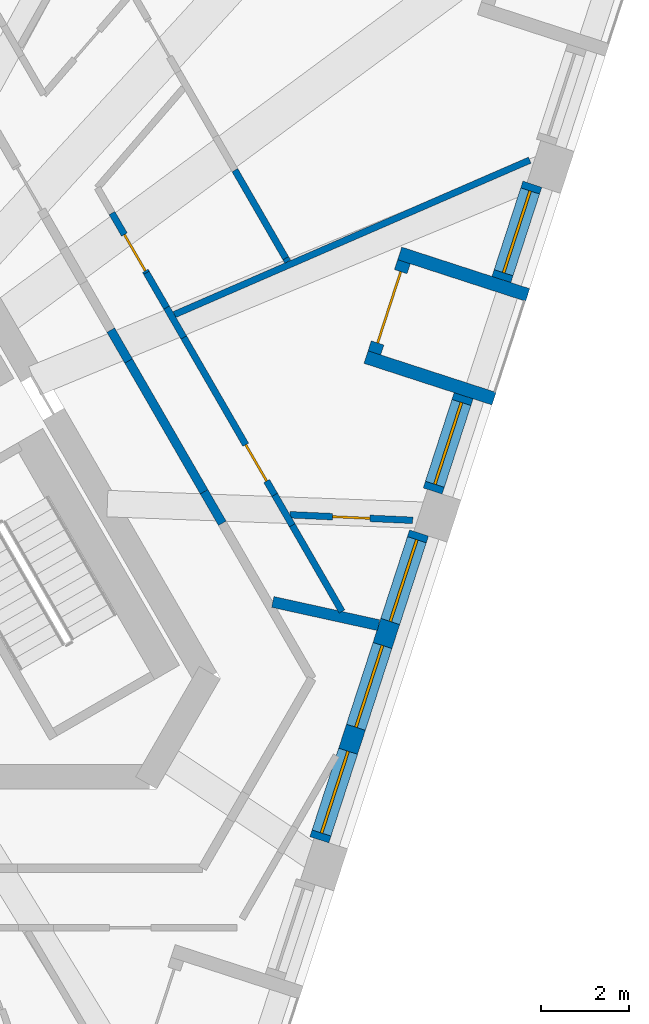
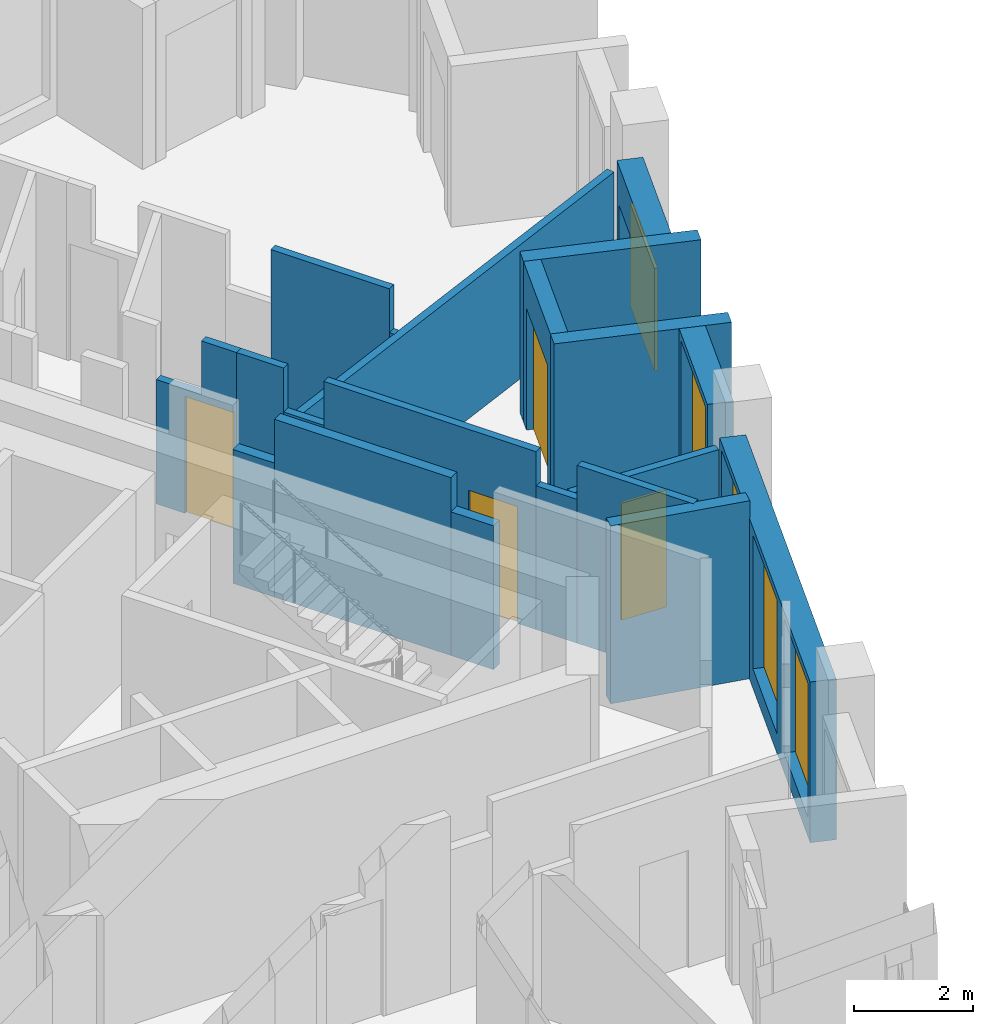
# One storey, part 6 of 13: 20 walls, 5 windows, 4 doors, 9 openings.
"""IFC4 building model written with IfcOpenShell, lengths in metres."""

from ifc_helpers import new_model, si_unit, direction, frame, frame_2d, origin, place, context, subcontext, project, spatial, polyline, rectangle, outline, extrude, material, layer, layer_set, type_object, element, fill, save


model = new_model("IFC4")

# Units and contexts
model_context = context("Model", 3, precision=1e-05, world=origin(), true_north=direction((0.0, 1.0)))
body_context = subcontext(model_context, "Body", "Model", "MODEL_VIEW")
ifc_project = project(units=[si_unit("LENGTHUNIT", "METRE"), si_unit("AREAUNIT", "SQUARE_METRE"), si_unit("VOLUMEUNIT", "CUBIC_METRE"), si_unit("PLANEANGLEUNIT", "RADIAN"), si_unit("MASSUNIT", "GRAM", prefix="KILO")], contexts=[model_context])

# Site, building, storey
site_placement = place(None, origin())
site = spatial("IfcSite", under=ifc_project, at=site_placement, CompositionType="ELEMENT")
building_placement = place(site_placement, origin())
building = spatial("IfcBuilding", under=site, at=building_placement, Name="Tramontana Tower", CompositionType="ELEMENT")
storey_placement = place(building_placement, frame((0.0, 0.0, 324.39990234375)))
storey = spatial("IfcBuildingStorey", under=building, at=storey_placement, Name="L74", CompositionType="ELEMENT", Elevation=324.39990234375)

# Walls
ifc_material_1 = material(Name="Blockwork", Category="masonry")
ifc_layer_1 = layer(ifc_material_1, 0.199951171875)
ifc_layer_set_1 = layer_set([ifc_layer_1], Name="ENTRY WALL 200")
wall_type_1 = type_object("IfcWallType", Name="ENTRY WALL 200", PredefinedType="SOLIDWALL", material=ifc_layer_set_1)
wall_1_placement = place(storey_placement, frame((7.765380859375, 3.64990234375, 0.0), z_axis=(0.0, 0.0, 1.0), x_axis=(0.500141487433, -0.865943700565, 0.0)))
element("IfcWall", 1, at=wall_1_placement, inside=storey, type_object=wall_type_1, Name="Wall v80-ew5-7", PredefinedType="SOLIDWALL", context=body_context, shape_type="SweptSolid", body=[
    extrude(rectangle(XDim=0.806884765625, YDim=0.199951171875, at=frame_2d((0.4033203125, 0.0))), origin(), (0.0, 0.0, 1.0), 2.75),
])
wall_2_placement = place(storey_placement, frame((8.1689453125, 2.951171875, 0.0), z_axis=(0.0, 0.0, 1.0), x_axis=(0.499959115548, -0.866049007147, 0.0)))
element("IfcWall", 2, at=wall_2_placement, inside=storey, type_object=wall_type_1, Name="Wall v80-ew5-8", PredefinedType="SOLIDWALL", context=body_context, shape_type="SweptSolid", body=[
    extrude(rectangle(XDim=3.423095703125, YDim=0.199951171875, at=frame_2d((1.71142578125, 0.0))), origin(), (0.0, 0.0, 1.0), 3.650146484375),
])
wall_3_placement = place(storey_placement, frame((9.88037109375, -0.013427734375, 0.0), z_axis=(0.0, 0.0, 1.0), x_axis=(0.499952654668, -0.866052736899, 0.0)))
element("IfcWall", 3, at=wall_3_placement, inside=storey, type_object=wall_type_1, Name="Wall v80-ew5-9", PredefinedType="SOLIDWALL", context=body_context, shape_type="SweptSolid", body=[
    extrude(rectangle(XDim=0.826171875, YDim=0.199951171875, at=frame_2d((0.4130859375, 0.0))), origin(), (0.0, 0.0, 1.0), 2.9501953125),
])

# Wall, openings, windows
ifc_material_2 = material(Name="Precast concrete 60 MPa", Category="concrete")
ifc_layer_2 = layer(ifc_material_2, 0.449951171875)
ifc_layer_set_2 = layer_set([ifc_layer_2], Name="Precast concrete 60 MPa, 450 mm")
wall_type_2 = type_object("IfcWallType", Name="EW1 Stone-faced precast wall 450", PredefinedType="SOLIDWALL", material=ifc_layer_set_2)
wall_4_placement = place(storey_placement, frame((12.493896484375, -7.904541015625, 0.0), z_axis=(0.0, 0.0, 1.0), x_axis=(0.309008326872, 0.951059332494, 0.0)))
wall_4 = element("IfcWall", 4, at=wall_4_placement, inside=storey, type_object=wall_type_2, Name="External wall L74 face 1 bay 3", PredefinedType="SOLIDWALL", context=body_context, shape_type="SweptSolid", body=[
    extrude(rectangle(XDim=7.313720703125, YDim=0.449951171875, at=frame_2d((3.65673828125, 0.0))), origin(), (0.0, 0.0, 1.0), 3.300048828125),
])
opening_1_placement = place(wall_4_placement, frame((0.16064453125, 0.0, 0.39990234375)))
opening_1 = element("IfcOpeningElement", 5, at=opening_1_placement, cuts=wall_4, Name="Opening M3", PredefinedType="OPENING", context=body_context, shape_type="SweptSolid", body=[
    extrude(rectangle(XDim=1.949951171875, YDim=2.75, at=frame_2d((0.97509765625, 1.375))), frame((0.0, 0.23486328125, 0.0), z_axis=(0.0, -1.0, 0.0), x_axis=(1.0, 0.0, 0.0)), (0.0, 0.0, 1.0), 0.469970703125),
])
opening_2_placement = place(wall_4_placement, frame((2.681884765625, 0.0, 0.39990234375)))
opening_2 = element("IfcOpeningElement", 6, at=opening_2_placement, cuts=wall_4, Name="Opening M3", PredefinedType="OPENING", context=body_context, shape_type="SweptSolid", body=[
    extrude(rectangle(XDim=1.949951171875, YDim=2.75, at=frame_2d((0.97509765625, 1.375))), frame((0.0, 0.23486328125, 0.0), z_axis=(0.0, -1.0, 0.0), x_axis=(1.0, 0.0, 0.0)), (0.0, 0.0, 1.0), 0.469970703125),
])
opening_3_placement = place(wall_4_placement, frame((5.203125, 0.0, 0.39990234375)))
opening_3 = element("IfcOpeningElement", 7, at=opening_3_placement, cuts=wall_4, Name="Opening M3", PredefinedType="OPENING", context=body_context, shape_type="SweptSolid", body=[
    extrude(rectangle(XDim=1.949951171875, YDim=2.75, at=frame_2d((0.97509765625, 1.375))), frame((0.0, 0.23486328125, 0.0), z_axis=(0.0, -1.0, 0.0), x_axis=(1.0, 0.0, 0.0)), (0.0, 0.0, 1.0), 0.469970703125),
])
ifc_material_3 = material(Name="Aluminum frame, double glazing unit", Category="aluminium")
window_type_1 = type_object("IfcWindowType", Name="M3 Window 1.95 x 2.75", PartitioningType="SINGLE_PANEL", PredefinedType="WINDOW", material=ifc_material_3)
window_1_placement = place(opening_1_placement, origin())
window_1 = element("IfcWindow", 8, at=window_1_placement, inside=storey, type_object=window_type_1, Name="Window M3 L74 face 1 module 7", OverallHeight=2.75, OverallWidth=1.949951171875, PartitioningType="SINGLE_PANEL", PredefinedType="WINDOW", context=body_context, shape_type="SweptSolid", body=[
    extrude(rectangle(XDim=1.949951171875, YDim=2.75, at=frame_2d((0.97509765625, 1.375))), frame((0.0, 0.030029296875, 0.0), z_axis=(0.0, -1.0, 0.0), x_axis=(1.0, 0.0, 0.0)), (0.0, 0.0, 1.0), 0.06005859375),
])
fill(opening_1, window_1)
window_2_placement = place(opening_2_placement, origin())
window_2 = element("IfcWindow", 9, at=window_2_placement, inside=storey, type_object=window_type_1, Name="Window M3 L74 face 1 module 8", OverallHeight=2.75, OverallWidth=1.949951171875, PartitioningType="SINGLE_PANEL", PredefinedType="WINDOW", context=body_context, shape_type="SweptSolid", body=[
    extrude(rectangle(XDim=1.949951171875, YDim=2.75, at=frame_2d((0.97509765625, 1.375))), frame((0.0, 0.030029296875, 0.0), z_axis=(0.0, -1.0, 0.0), x_axis=(1.0, 0.0, 0.0)), (0.0, 0.0, 1.0), 0.06005859375),
])
fill(opening_2, window_2)
window_3_placement = place(opening_3_placement, origin())
window_3 = element("IfcWindow", 10, at=window_3_placement, inside=storey, type_object=window_type_1, Name="Window M3 L74 face 1 module 9", OverallHeight=2.75, OverallWidth=1.949951171875, PartitioningType="SINGLE_PANEL", PredefinedType="WINDOW", context=body_context, shape_type="SweptSolid", body=[
    extrude(rectangle(XDim=1.949951171875, YDim=2.75, at=frame_2d((0.97509765625, 1.375))), frame((0.0, 0.030029296875, 0.0), z_axis=(0.0, -1.0, 0.0), x_axis=(1.0, 0.0, 0.0)), (0.0, 0.0, 1.0), 0.06005859375),
])
fill(opening_3, window_3)

# Wall, opening, window
wall_5_placement = place(storey_placement, frame((15.06298828125, 0.00244140625, 0.0), z_axis=(0.0, 0.0, 1.0), x_axis=(0.309059334219, 0.951042758204, 0.0)))
wall_5 = element("IfcWall", 11, at=wall_5_placement, inside=storey, type_object=wall_type_2, Name="External wall L74 face 1 bay 4", PredefinedType="SOLIDWALL", context=body_context, shape_type="SweptSolid", body=[
    extrude(rectangle(XDim=2.27099609375, YDim=0.449951171875, at=frame_2d((1.135498046875, 0.0))), origin(), (0.0, 0.0, 1.0), 3.300048828125),
])
opening_4_placement = place(wall_5_placement, frame((0.16064453125, 0.0, 0.39990234375)))
opening_4 = element("IfcOpeningElement", 12, at=opening_4_placement, cuts=wall_5, Name="Opening M3", PredefinedType="OPENING", context=body_context, shape_type="SweptSolid", body=[
    extrude(rectangle(XDim=1.949951171875, YDim=2.75, at=frame_2d((0.97509765625, 1.375))), frame((0.0, 0.23486328125, 0.0), z_axis=(0.0, -1.0, 0.0), x_axis=(1.0, 0.0, 0.0)), (0.0, 0.0, 1.0), 0.469970703125),
])
window_4_placement = place(opening_4_placement, origin())
window_4 = element("IfcWindow", 13, at=window_4_placement, inside=storey, type_object=window_type_1, Name="Window M3 L74 face 1 module 10", OverallHeight=2.75, OverallWidth=1.949951171875, PartitioningType="SINGLE_PANEL", PredefinedType="WINDOW", context=body_context, shape_type="SweptSolid", body=[
    extrude(rectangle(XDim=1.949951171875, YDim=2.75, at=frame_2d((0.97509765625, 1.375))), frame((0.0, 0.030029296875, 0.0), z_axis=(0.0, -1.0, 0.0), x_axis=(1.0, 0.0, 0.0)), (0.0, 0.0, 1.0), 0.06005859375),
])
fill(opening_4, window_4)

wall_6_placement = place(storey_placement, frame((16.62109375, 4.798095703125, 0.0), z_axis=(0.0, 0.0, 1.0), x_axis=(0.309027740273, 0.951053024674, 0.0)))
wall_6 = element("IfcWall", 14, at=wall_6_placement, inside=storey, type_object=wall_type_2, Name="External wall L74 face 1 bay 4", PredefinedType="SOLIDWALL", context=body_context, shape_type="SweptSolid", body=[
    extrude(rectangle(XDim=2.271240234375, YDim=0.449951171875, at=frame_2d((1.1357421875, 0.0))), origin(), (0.0, 0.0, 1.0), 3.300048828125),
])
opening_5_placement = place(wall_6_placement, frame((0.16064453125, 0.0, 0.39990234375)))
opening_5 = element("IfcOpeningElement", 15, at=opening_5_placement, cuts=wall_6, Name="Opening M3L", PredefinedType="OPENING", context=body_context, shape_type="SweptSolid", body=[
    extrude(rectangle(XDim=1.949951171875, YDim=2.10009765625, at=frame_2d((0.97509765625, 1.050048828125))), frame((0.0, 0.23486328125, 0.0), z_axis=(0.0, -1.0, 0.0), x_axis=(1.0, 0.0, 0.0)), (0.0, 0.0, 1.0), 0.469970703125),
])
ifc_material_4 = material(Name="Aluminum frame, double glazing unit", Category="aluminium")
window_type_2 = type_object("IfcWindowType", Name="M3L Window 1.95 x 2.1", PartitioningType="SINGLE_PANEL", PredefinedType="WINDOW", material=ifc_material_4)
window_5_placement = place(opening_5_placement, origin())
window_5 = element("IfcWindow", 16, at=window_5_placement, inside=storey, type_object=window_type_2, Name="Window M3L L74 face 1 module 12", OverallHeight=2.10009765625, OverallWidth=1.949951171875, PartitioningType="SINGLE_PANEL", PredefinedType="WINDOW", context=body_context, shape_type="SweptSolid", body=[
    extrude(rectangle(XDim=1.949951171875, YDim=2.10009765625, at=frame_2d((0.97509765625, 1.050048828125))), frame((0.0, 0.030029296875, 0.0), z_axis=(0.0, -1.0, 0.0), x_axis=(1.0, 0.0, 0.0)), (0.0, 0.0, 1.0), 0.06005859375),
])
fill(opening_5, window_5)

# Wall, opening, door
ifc_material_5 = material(Name="Precast concrete 60 MPa", Category="concrete")
ifc_layer_3 = layer(ifc_material_5, 0.300048828125)
ifc_layer_set_3 = layer_set([ifc_layer_3], Name="LW1 Stone-faced loggia wall 300")
wall_type_3 = type_object("IfcWallType", Name="LW1 Stone-faced loggia wall 300", PredefinedType="SOLIDWALL", material=ifc_layer_set_3)
wall_7_placement = place(storey_placement, frame((13.741455078125, 3.13525390625, 0.0), z_axis=(0.0, 0.0, 1.0), x_axis=(0.308966581759, 0.95107289487, 0.0)))
wall_7 = element("IfcWall", 17, at=wall_7_placement, inside=storey, type_object=wall_type_3, Name="Loggia wall L74 G8S1.10", PredefinedType="SOLIDWALL", context=body_context, shape_type="SweptSolid", body=[
    extrude(rectangle(XDim=2.17138671875, YDim=0.300048828125, at=frame_2d((1.085693359375, 0.0))), origin(), (0.0, 0.0, 1.0), 3.300048828125),
])
opening_6_placement = place(wall_7_placement, frame((0.235595703125, 0.0, 0.0)))
opening_6 = element("IfcOpeningElement", 18, at=opening_6_placement, cuts=wall_7, Name="Opening BD-8S1-10", PredefinedType="OPENING", context=body_context, shape_type="SweptSolid", body=[
    extrude(rectangle(XDim=1.699951171875, YDim=2.5, at=frame_2d((0.85009765625, 1.25))), frame((0.0, 0.159912109375, 0.0), z_axis=(0.0, -1.0, 0.0), x_axis=(1.0, 0.0, 0.0)), (0.0, 0.0, 1.0), 0.320068359375),
])
ifc_material_6 = material(Name="Aluminum frame, double glazing unit", Category="aluminium")
door_type_1 = type_object("IfcDoorType", Name="BD3 Sliding door 1.7 x 2.5", OperationType="SLIDING_TO_LEFT", PredefinedType="DOOR", material=ifc_material_6)
door_1_placement = place(opening_6_placement, origin())
door_1 = element("IfcDoor", 19, at=door_1_placement, inside=storey, type_object=door_type_1, Name="Loggia door L74 G8S1.10", OperationType="SLIDING_TO_LEFT", OverallHeight=2.5, OverallWidth=1.699951171875, PredefinedType="DOOR", context=body_context, shape_type="SweptSolid", body=[
    extrude(rectangle(XDim=1.699951171875, YDim=2.5, at=frame_2d((0.85009765625, 1.25))), frame((0.0, 0.02490234375, 0.0), z_axis=(0.0, -1.0, 0.0), x_axis=(1.0, 0.0, 0.0)), (0.0, 0.0, 1.0), 0.050048828125),
])
fill(opening_6, door_1)

# Walls
for number, where, z_axis, x_axis, name in (
    (20, (16.453125, 2.096435546875, 0.0), (0.0, 0.0, 1.0), (-0.951041715693, 0.309062542235, 0.0), "Loggia return L74 G8S1.10a"),
    (21, (17.216796875, 4.44677734375, 0.0), (0.0, 0.0, 1.0), (-0.951041715693, 0.309062542235, 0.0), "Loggia return L74 G8S1.10b"),
):
    element("IfcWall", number, at=place(storey_placement, frame(where, z_axis=z_axis, x_axis=x_axis)), inside=storey, type_object=wall_type_3, Name=name, PredefinedType="SOLIDWALL", context=body_context, shape_type="SweptSolid", body=[
        extrude(rectangle(XDim=3.050048828125, YDim=0.300048828125, at=frame_2d((1.52490234375, 0.0))), origin(), (0.0, 0.0, 1.0), 3.300048828125),
    ])
ifc_material_7 = material(Name="Gypsum board partition")
ifc_layer_4 = layer(ifc_material_7, 0.14990234375)
ifc_layer_set_4 = layer_set([ifc_layer_4], Name="PARTITION 150")
wall_type_4 = type_object("IfcWallType", Name="PARTITION 150", PredefinedType="PARTITIONING", material=ifc_layer_set_4)
wall_8_placement = place(storey_placement, frame((10.57958984375, 7.275390625, 0.0), z_axis=(0.0, 0.0, 1.0), x_axis=(0.500012835235, -0.866017993231, 0.0)))
element("IfcWall", 22, at=wall_8_placement, inside=storey, type_object=wall_type_4, Name="Wall v80-pw24-4", PredefinedType="PARTITIONING", context=body_context, shape_type="SweptSolid", body=[
    extrude(rectangle(XDim=2.3046875, YDim=0.14990234375, at=frame_2d((1.15234375, 0.0))), origin(), (0.0, 0.0, 1.0), 3.650146484375),
])
wall_9_placement = place(storey_placement, frame((11.73193359375, 5.279541015625, 0.0), z_axis=(0.0, 0.0, 1.0), x_axis=(0.501036270542, -0.865426285481, 0.0)))
element("IfcWall", 23, at=wall_9_placement, inside=storey, type_object=wall_type_4, Name="Wall v80-pw24-5", PredefinedType="PARTITIONING", context=body_context, shape_type="SweptSolid", body=[
    extrude(rectangle(XDim=0.091064453125, YDim=0.14990234375, at=frame_2d((0.04541015625, 0.0))), origin(), (0.0, 0.0, 1.0), 2.75),
])

# Wall, opening, door
wall_10_placement = place(storey_placement, frame((7.792236328125, 6.303466796875, 0.0), z_axis=(0.0, 0.0, 1.0), x_axis=(0.50003806587, -0.866003425329, 0.0)))
wall_10 = element("IfcWall", 24, at=wall_10_placement, inside=storey, type_object=wall_type_4, Name="Wall v80-pw25-1", PredefinedType="PARTITIONING", context=body_context, shape_type="SweptSolid", body=[
    extrude(outline(polyline([(0.0, 0.0), (1.5625, 0.0), (1.562255859375, 3.650146484375), (0.880615234375, 3.650146484375), (0.880615234375, 2.550048828125), (0.0, 2.550048828125), (0.0, 0.0)])), frame((0.0, 0.074951171875, 0.0), z_axis=(0.0, -1.0, 0.0), x_axis=(1.0, 0.0, 0.0)), (0.0, 0.0, 1.0), 0.14990234375),
])
opening_7_placement = place(wall_10_placement, frame((0.562255859375, 0.0, 0.0)))
opening_7 = element("IfcOpeningElement", 25, at=opening_7_placement, cuts=wall_10, Name="Opening B8A-13", PredefinedType="OPENING", context=body_context, shape_type="SweptSolid", body=[
    extrude(rectangle(XDim=0.949951171875, YDim=2.39990234375, at=frame_2d((0.47509765625, 1.199951171875))), frame((0.0, 0.0849609375, 0.0), z_axis=(0.0, -1.0, 0.0), x_axis=(1.0, 0.0, 0.0)), (0.0, 0.0, 1.0), 0.169921875),
])
ifc_material_8 = material(Name="Painted timber", Category="wood")
door_type_2 = type_object("IfcDoorType", Name="DOOR ROOM 950", OperationType="SINGLE_SWING_LEFT", PredefinedType="DOOR", material=ifc_material_8)
door_2_placement = place(opening_7_placement, origin())
door_2 = element("IfcDoor", 26, at=door_2_placement, inside=storey, type_object=door_type_2, Name="Door B8A-13", OperationType="SINGLE_SWING_LEFT", OverallHeight=2.39990234375, OverallWidth=0.949951171875, PredefinedType="DOOR", context=body_context, shape_type="SweptSolid", body=[
    extrude(rectangle(XDim=0.949951171875, YDim=2.39990234375, at=frame_2d((0.47509765625, 1.199951171875))), frame((0.0, 0.02490234375, 0.0), z_axis=(0.0, -1.0, 0.0), x_axis=(1.0, 0.0, 0.0)), (0.0, 0.0, 1.0), 0.050048828125),
])
fill(opening_7, door_2)

# Walls
wall_11_placement = place(storey_placement, frame((8.573486328125, 4.950439453125, 0.0), z_axis=(0.0, 0.0, 1.0), x_axis=(0.500023511883, -0.866011828767, 0.0)))
element("IfcWall", 27, at=wall_11_placement, inside=storey, type_object=wall_type_4, Name="Wall v80-pw25-2", PredefinedType="PARTITIONING", context=body_context, shape_type="SweptSolid", body=[
    extrude(rectangle(XDim=0.91259765625, YDim=0.14990234375, at=frame_2d((0.456298828125, 0.0))), origin(), (0.0, 0.0, 1.0), 3.650146484375),
])
wall_12_placement = place(storey_placement, frame((9.02978515625, 4.16015625, 0.0), z_axis=(0.0, 0.0, 1.0), x_axis=(0.499767520639, -0.866159584207, 0.0)))
element("IfcWall", 28, at=wall_12_placement, inside=storey, type_object=wall_type_4, Name="Wall v80-pw25-3", PredefinedType="PARTITIONING", context=body_context, shape_type="SweptSolid", body=[
    extrude(rectangle(XDim=0.781494140625, YDim=0.14990234375, at=frame_2d((0.390625, 0.0))), origin(), (0.0, 0.0, 1.0), 2.75),
])

# Wall, opening, door
wall_13_placement = place(storey_placement, frame((9.42041015625, 3.483154296875, 0.0), z_axis=(0.0, 0.0, 1.0), x_axis=(0.50002680699, -0.866009926209, 0.0)))
wall_13 = element("IfcWall", 29, at=wall_13_placement, inside=storey, type_object=wall_type_4, Name="Wall v80-pw25-4", PredefinedType="PARTITIONING", context=body_context, shape_type="SweptSolid", body=[
    extrude(rectangle(XDim=4.119873046875, YDim=0.14990234375, at=frame_2d((2.06005859375, 0.0))), origin(), (0.0, 0.0, 1.0), 3.650146484375),
])
opening_8_placement = place(wall_13_placement, frame((2.807861328125, 0.0, 0.0)))
opening_8 = element("IfcOpeningElement", 30, at=opening_8_placement, cuts=wall_13, Name="Opening B8A-16", PredefinedType="OPENING", context=body_context, shape_type="SweptSolid", body=[
    extrude(rectangle(XDim=0.949951171875, YDim=2.39990234375, at=frame_2d((0.47509765625, 1.199951171875))), frame((0.0, 0.0849609375, 0.0), z_axis=(0.0, -1.0, 0.0), x_axis=(1.0, 0.0, 0.0)), (0.0, 0.0, 1.0), 0.169921875),
])
door_3_placement = place(opening_8_placement, origin())
door_3 = element("IfcDoor", 31, at=door_3_placement, inside=storey, type_object=door_type_2, Name="Door B8A-16", OperationType="SINGLE_SWING_RIGHT", OverallHeight=2.39990234375, OverallWidth=0.949951171875, PredefinedType="DOOR", context=body_context, shape_type="SweptSolid", body=[
    extrude(rectangle(XDim=0.949951171875, YDim=2.39990234375, at=frame_2d((0.47509765625, 1.199951171875))), frame((0.0, 0.02490234375, 0.0), z_axis=(0.0, -1.0, 0.0), x_axis=(1.0, 0.0, 0.0)), (0.0, 0.0, 1.0), 0.050048828125),
])
fill(opening_8, door_3)

# Walls
wall_14_placement = place(storey_placement, frame((11.48046875, -0.084716796875, 0.0), z_axis=(0.0, 0.0, 1.0), x_axis=(0.499961121316, -0.86604784924, 0.0)))
element("IfcWall", 32, at=wall_14_placement, inside=storey, type_object=wall_type_4, Name="Wall v80-pw25-5", PredefinedType="PARTITIONING", context=body_context, shape_type="SweptSolid", body=[
    extrude(rectangle(XDim=0.796875, YDim=0.14990234375, at=frame_2d((0.3984375, 0.0))), origin(), (0.0, 0.0, 1.0), 2.9501953125),
])
wall_15_placement = place(storey_placement, frame((11.87890625, -0.77490234375, 0.0), z_axis=(0.0, 0.0, 1.0), x_axis=(0.50003780229, -0.866003577522, 0.0)))
element("IfcWall", 33, at=wall_15_placement, inside=storey, type_object=wall_type_4, Name="Wall v80-pw25-6", PredefinedType="PARTITIONING", context=body_context, shape_type="SweptSolid", body=[
    extrude(rectangle(XDim=2.256103515625, YDim=0.14990234375, at=frame_2d((1.1279296875, 0.0))), origin(), (0.0, 0.0, 1.0), 3.650146484375),
])

# Wall, opening, door
wall_16_placement = place(storey_placement, frame((14.610595703125, -0.661865234375, 0.0), z_axis=(0.0, 0.0, 1.0), x_axis=(-0.998973232514, 0.045304312387, 0.0)))
wall_16 = element("IfcWall", 34, at=wall_16_placement, inside=storey, type_object=wall_type_4, Name="Wall v80-pw29-0", PredefinedType="PARTITIONING", context=body_context, shape_type="SweptSolid", body=[
    extrude(rectangle(XDim=2.7861328125, YDim=0.14990234375, at=frame_2d((1.39306640625, 0.0))), origin(), (0.0, 0.0, 1.0), 2.9501953125),
])
opening_9_placement = place(wall_16_placement, frame((0.968017578125, 0.0, 0.0)))
opening_9 = element("IfcOpeningElement", 35, at=opening_9_placement, cuts=wall_16, Name="Opening B8A-18", PredefinedType="OPENING", context=body_context, shape_type="SweptSolid", body=[
    extrude(rectangle(XDim=0.85009765625, YDim=2.39990234375, at=frame_2d((0.425048828125, 1.199951171875))), frame((0.0, 0.0849609375, 0.0), z_axis=(0.0, -1.0, 0.0), x_axis=(1.0, 0.0, 0.0)), (0.0, 0.0, 1.0), 0.169921875),
])
ifc_material_9 = material(Name="Painted timber", Category="wood")
door_type_3 = type_object("IfcDoorType", Name="DOOR BATH 850", OperationType="SINGLE_SWING_LEFT", PredefinedType="DOOR", material=ifc_material_9)
door_4_placement = place(opening_9_placement, origin())
door_4 = element("IfcDoor", 36, at=door_4_placement, inside=storey, type_object=door_type_3, Name="Door B8A-18", OperationType="SINGLE_SWING_RIGHT", OverallHeight=2.39990234375, OverallWidth=0.85009765625, PredefinedType="DOOR", context=body_context, shape_type="SweptSolid", body=[
    extrude(rectangle(XDim=0.85009765625, YDim=2.39990234375, at=frame_2d((0.425048828125, 1.199951171875))), frame((0.0, 0.02490234375, 0.0), z_axis=(0.0, -1.0, 0.0), x_axis=(1.0, 0.0, 0.0)), (0.0, 0.0, 1.0), 0.050048828125),
])
fill(opening_9, door_4)

# Walls
wall_17_placement = place(storey_placement, frame((17.263427734375, 7.503173828125, 0.0), z_axis=(0.0, 0.0, 1.0), x_axis=(-0.917126165883, -0.398597034425, 0.0)))
element("IfcWall", 37, at=wall_17_placement, inside=storey, type_object=wall_type_4, Name="Wall v80-pw32-0", PredefinedType="PARTITIONING", context=body_context, shape_type="SweptSolid", body=[
    extrude(rectangle(XDim=8.783935546875, YDim=0.14990234375, at=frame_2d((4.39208984375, 0.0))), origin(), (0.0, 0.0, 1.0), 2.75),
])
ifc_material_10 = material(Name="Blockwork", Category="masonry")
ifc_layer_5 = layer(ifc_material_10, 0.25)
ifc_layer_set_5 = layer_set([ifc_layer_5], Name="PARTY WALL 250")
wall_type_5 = type_object("IfcWallType", Name="PARTY WALL 250", PredefinedType="SOLIDWALL", material=ifc_layer_set_5)
wall_18_placement = place(storey_placement, frame((11.438720703125, -2.512451171875, 0.0), z_axis=(0.0, 0.0, 1.0), x_axis=(0.976726571075, -0.2144882406, 0.0)))
element("IfcWall", 38, at=wall_18_placement, inside=storey, type_object=wall_type_5, Name="Wall v80-pw28", PredefinedType="SOLIDWALL", context=body_context, shape_type="SweptSolid", body=[
    extrude(rectangle(XDim=2.456298828125, YDim=0.25, at=frame_2d((1.22802734375, 0.0))), origin(), (0.0, 0.0, 1.0), 3.650146484375),
])

save(model, "model.ifc")
